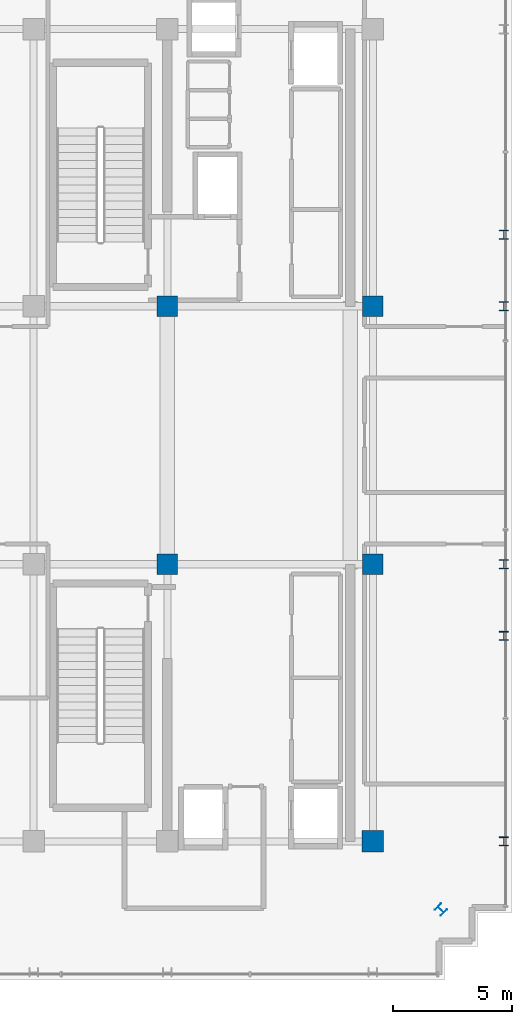
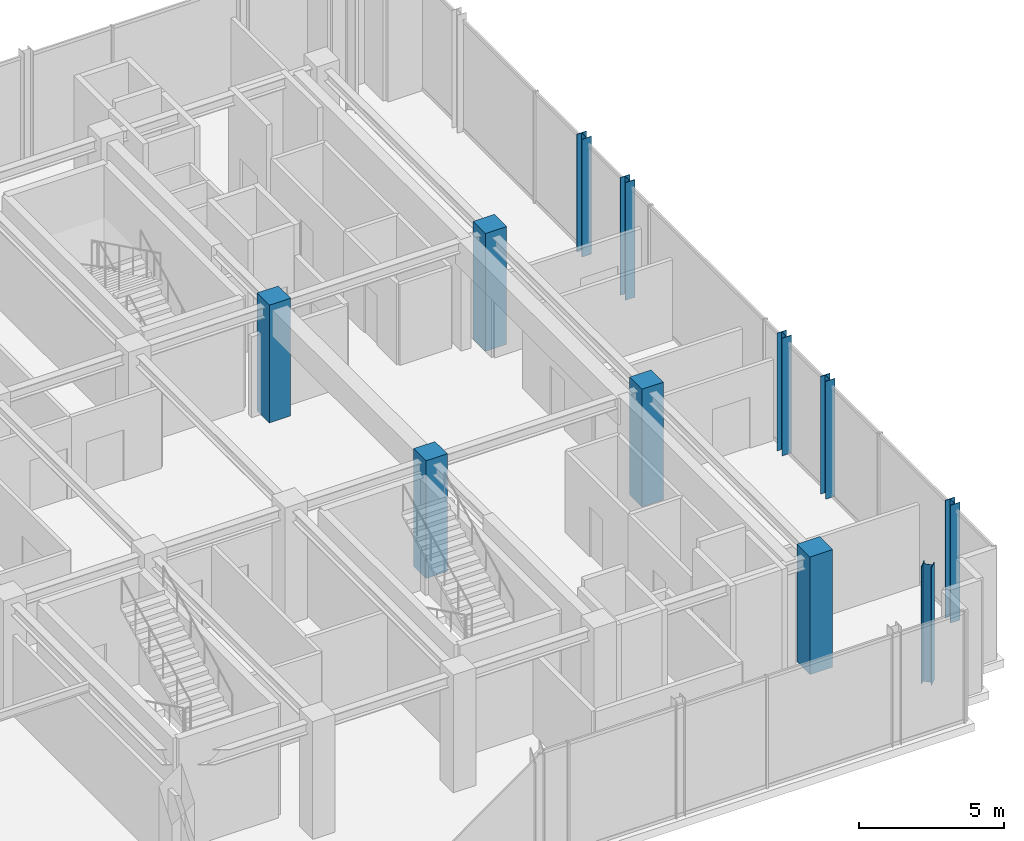
# One storey, part 2 of 28: 11 columns.
"""IFC4 building model written with IfcOpenShell, lengths in metres."""

from ifc_helpers import new_model, si_unit, direction, frame, origin, origin_2d, place, context, subcontext, project, spatial, rectangle, i_section, extrude, source, transform, mapped, material, material_profile, profile_set, type_object, element, save


model = new_model("IFC4")

# Units and contexts
model_context = context("Model", 3, precision=1e-05, world=origin(), true_north=direction((0.0, 1.0)))
body_context = subcontext(model_context, "Body", "Model", "MODEL_VIEW")
ifc_project = project(units=[si_unit("LENGTHUNIT", "METRE"), si_unit("AREAUNIT", "SQUARE_METRE"), si_unit("VOLUMEUNIT", "CUBIC_METRE"), si_unit("PLANEANGLEUNIT", "RADIAN"), si_unit("MASSUNIT", "GRAM", prefix="KILO")], contexts=[model_context])

# Site, building, storey
site_placement = place(None, origin())
site = spatial("IfcSite", under=ifc_project, at=site_placement, CompositionType="ELEMENT")
building_placement = place(site_placement, origin())
building = spatial("IfcBuilding", under=site, at=building_placement, Name="Nahalor Promenade Grand Hotel", CompositionType="ELEMENT")
storey_placement = place(building_placement, frame((0.0, 0.0, 352.050048828125)))
storey = spatial("IfcBuildingStorey", under=building, at=storey_placement, Name="L90", CompositionType="ELEMENT", Elevation=352.050048828125)

# Columns
ifc_material_1 = material(Name="Concrete B-50 (C40/50)", Category="concrete")
ifc_material_profile_1 = material_profile(ifc_material_1, rectangle(XDim=0.9, YDim=0.9, at=origin_2d()), Name="RC 900x900")
ifc_profile_set_1 = profile_set([ifc_material_profile_1], Name="Concrete B-50 (C40/50)")
column_type_1 = type_object("IfcColumnType", Name="Col-RC-900", PredefinedType="COLUMN", material=ifc_profile_set_1)
shared_shape_1 = source(origin(), body_context, "Body", "SweptSolid", [
    extrude(rectangle(XDim=0.9, YDim=0.9, at=origin_2d()), origin(), (0.0, 0.0, 1.0), 4.954833984375),
])
column_placement = place(storey_placement, frame((17.0, -17.0, 0.0), z_axis=(0.0, 0.0, 1.0), x_axis=(1.0, 0.0, 0.0)))
element("IfcColumn", 1, at=column_placement, inside=storey, type_object=column_type_1, Name="COL-L90-I50", PredefinedType="COLUMN", context=body_context, shape_type="MappedRepresentation", body=[
    mapped(shared_shape_1, transform((0.0, 0.0, 0.0), scale=1.0)),
])
ifc_material_2 = material(Name="Concrete B-70 (C60/75)", Category="concrete")
ifc_material_profile_2 = material_profile(ifc_material_2, rectangle(XDim=0.85, YDim=0.85, at=origin_2d()), Name="RC 850x850")
ifc_profile_set_2 = profile_set([ifc_material_profile_2], Name="Concrete B-70 (C60/75)")
column_type_2 = type_object("IfcColumnType", Name="Col-Pilaster-850", PredefinedType="PILASTER", material=ifc_profile_set_2)
shared_shape_2 = source(origin(), body_context, "Body", "SweptSolid", [
    extrude(rectangle(XDim=0.85, YDim=0.85, at=origin_2d()), origin(), (0.0, 0.0, 1.0), 4.954833984375),
])
for number, where, z_axis, x_axis, name in (
    (2, (8.39990234375, -5.39990234375, 0.0), (0.0, 0.0, 1.0), (1.0, 0.0, 0.0), "COL-L90-I41"),
    (3, (8.39990234375, 5.39990234375, 0.0), (0.0, 0.0, 1.0), (1.0, 0.0, 0.0), "COL-L90-I42"),
    (4, (17.0, -5.39990234375, 0.0), (0.0, 0.0, 1.0), (1.0, 0.0, 0.0), "COL-L90-I51"),
    (5, (17.0, 5.39990234375, 0.0), (0.0, 0.0, 1.0), (1.0, 0.0, 0.0), "COL-L90-I52"),
):
    element("IfcColumn", number, at=place(storey_placement, frame(where, z_axis=z_axis, x_axis=x_axis)), inside=storey, type_object=column_type_2, Name=name, PredefinedType="PILASTER", context=body_context, shape_type="MappedRepresentation", body=[
        mapped(shared_shape_2, transform((0.0, 0.0, 0.0), scale=1.0)),
    ])
ifc_material_3 = material(Name="Steel S355JR", Category="steel")
ifc_material_profile_3 = material_profile(ifc_material_3, i_section(OverallWidth=0.374, OverallDepth=0.374, WebThickness=0.0144, FlangeThickness=0.0229, at=origin_2d()), Name="HD 360x262")
ifc_profile_set_3 = profile_set([ifc_material_profile_3], Name="Steel S355JR")
column_type_3 = type_object("IfcColumnType", Name="Col-Steel-HD262", PredefinedType="COLUMN", material=ifc_profile_set_3)
shared_shape_3 = source(origin(), body_context, "Body", "SweptSolid", [
    extrude(i_section(OverallWidth=0.374, OverallDepth=0.374, WebThickness=0.0144, FlangeThickness=0.0229, at=origin_2d()), origin(), (0.0, 0.0, 1.0), 4.954833984375),
])
for number, where, z_axis, x_axis, name in (
    (6, (22.47998046875, -17.0, 0.0), (0.0, 0.0, 1.0), (1.0, 0.0, 0.0), "COL-L90-PW-E0"),
    (7, (22.47998046875, -8.39990234375, 0.0), (0.0, 0.0, 1.0), (1.0, 0.0, 0.0), "COL-L90-PW-E1"),
    (8, (22.47998046875, -5.39990234375, 0.0), (0.0, 0.0, 1.0), (1.0, 0.0, 0.0), "COL-L90-PW-E2"),
    (9, (22.47998046875, 5.39990234375, 0.0), (0.0, 0.0, 1.0), (1.0, 0.0, 0.0), "COL-L90-PW-E3"),
    (10, (22.47998046875, 8.39990234375, 0.0), (0.0, 0.0, 1.0), (1.0, 0.0, 0.0), "COL-L90-PW-E4"),
    (11, (19.85009765625, -19.85009765625, 0.0), (0.0, 0.0, 1.0), (0.707106781187, 0.707106781187, 0.0), "COL-L90-CRN-SE"),
):
    element("IfcColumn", number, at=place(storey_placement, frame(where, z_axis=z_axis, x_axis=x_axis)), inside=storey, type_object=column_type_3, Name=name, PredefinedType="COLUMN", context=body_context, shape_type="MappedRepresentation", body=[
        mapped(shared_shape_3, transform((0.0, 0.0, 0.0), scale=1.0)),
    ])

save(model, "model.ifc")
